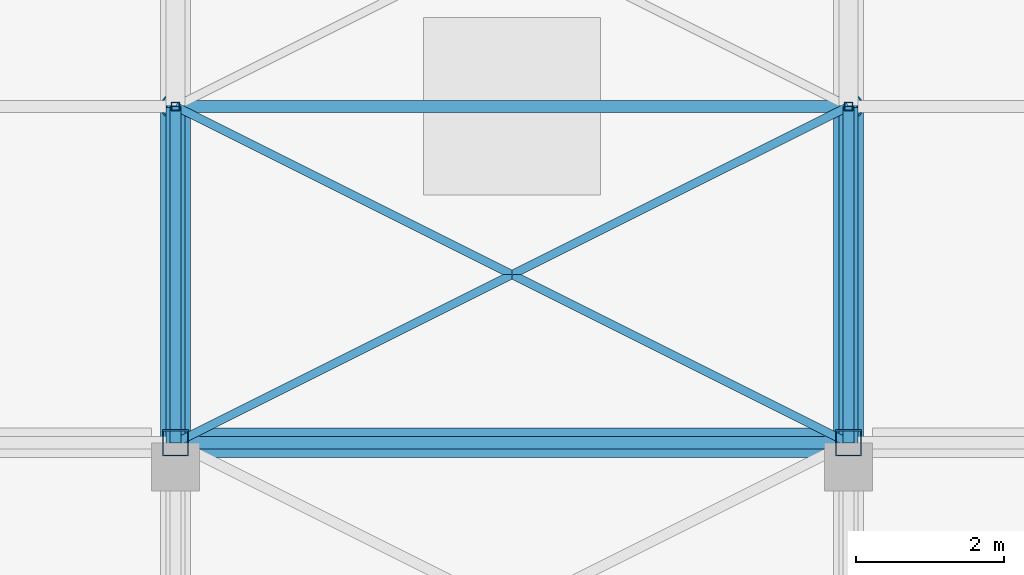
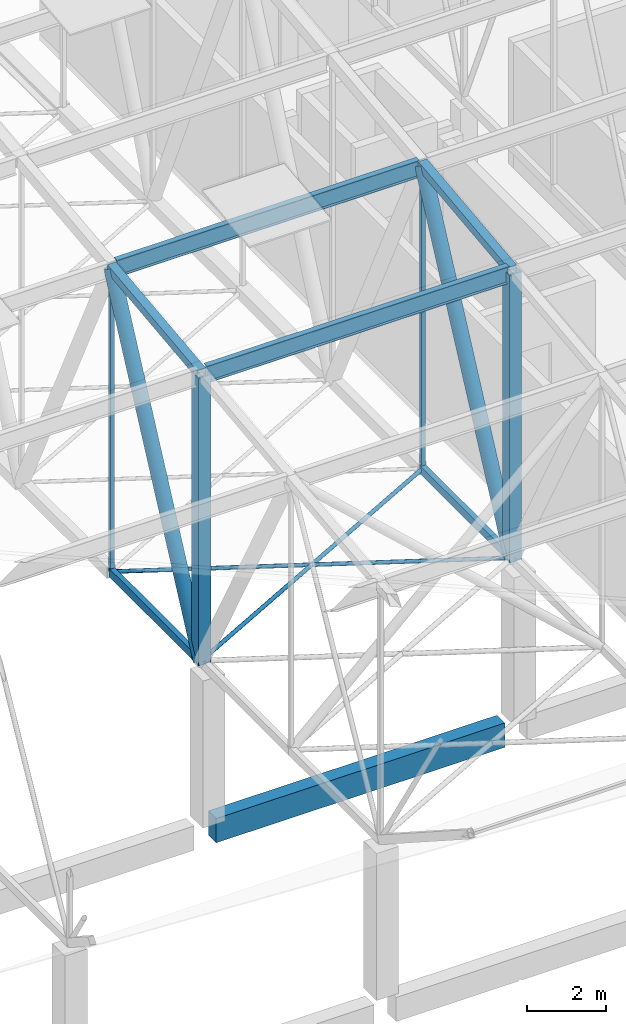
# One storey, part 119 of 500: 14 members, 1 beam.
"""IFC4 building model written with IfcOpenShell, lengths in metres."""

from ifc_helpers import new_model, si_unit, direction, frame, origin, origin_2d, place, context, subcontext, project, spatial, rectangle, hollow_rectangle, hollow_circle, i_section, extrude, material, material_profile, profile_set, type_object, element, save


model = new_model("IFC4")

# Units and contexts
model_context = context("Model", 3, precision=1e-05, world=origin(), true_north=direction((0.0, 1.0)))
body_context = subcontext(model_context, "Body", "Model", "MODEL_VIEW")
ifc_project = project(units=[si_unit("LENGTHUNIT", "METRE"), si_unit("AREAUNIT", "SQUARE_METRE"), si_unit("VOLUMEUNIT", "CUBIC_METRE"), si_unit("PLANEANGLEUNIT", "RADIAN"), si_unit("MASSUNIT", "GRAM", prefix="KILO")], contexts=[model_context])

# Site, building, storey
site_placement = place(None, origin())
site = spatial("IfcSite", under=ifc_project, at=site_placement, CompositionType="ELEMENT")
building_placement = place(site_placement, origin())
building = spatial("IfcBuilding", under=site, at=building_placement, Name="Shirokan Park Arena", CompositionType="ELEMENT")
storey_placement = place(building_placement, frame((0.0, 0.0, 29.1201171875)))
storey = spatial("IfcBuildingStorey", under=building, at=storey_placement, Name="L06", CompositionType="ELEMENT", Elevation=29.1201171875)

# Members
ifc_material_1 = material(Name="Steel ASTM A500 Grade C", Category="steel")
ifc_material_profile_1 = material_profile(ifc_material_1, hollow_rectangle(XDim=0.152099609375, YDim=0.25390625, WallThickness=0.015869140625, at=origin_2d()), Name="HSS254X152.4X15.9")
ifc_profile_set_1 = profile_set([ifc_material_profile_1], Name="Steel ASTM A500 Grade C")
member_type_1 = type_object("IfcMemberType", Name="Bottom chord HSS254X152.4X15.9", PredefinedType="CHORD", material=ifc_profile_set_1)
for number, where, z_axis, x_axis, name in (
    (1, (91.0, 9.10009765625, 4.677001953125), (0.0, 1.0, 0.0), (-1.0, 0.0, 0.0), "Truss T11 bottom chord 5"),
    (2, (100.10009765625, 9.10009765625, 4.677001953125), (0.0, 1.0, 0.0), (-1.0, 0.0, 0.0), "Truss T12 bottom chord 5"),
):
    element("IfcMember", number, at=place(storey_placement, frame(where, z_axis=z_axis, x_axis=x_axis)), inside=storey, type_object=member_type_1, Name=name, PredefinedType="CHORD", context=body_context, shape_type="SweptSolid", body=[
        extrude(hollow_rectangle(XDim=0.152099609375, YDim=0.25390625, WallThickness=0.015869140625, at=origin_2d()), origin(), (0.0, 0.0, 1.0), 4.5498046875),
    ])
ifc_material_profile_2 = material_profile(ifc_material_1, hollow_circle(Radius=0.056884765625, WallThickness=0.006103515625, at=origin_2d()), Name="HSS114.3X6")
ifc_profile_set_2 = profile_set([ifc_material_profile_2], Name="Steel ASTM A500 Grade C")
member_type_2 = type_object("IfcMemberType", Name="Plan bracing HSS114.3X6", PredefinedType="BRACE", material=ifc_profile_set_2)
for number, where, z_axis, x_axis, name in (
    (3, (91.0, 9.10009765625, 4.677001953125), (0.8944367893, 0.447194398385, 0.0), (-0.447194398385, 0.8944367893, 0.0), "Plan bracing bay 11 panel 5 A"),
    (4, (100.10009765625, 9.10009765625, 4.677001953125), (-0.8944367893, 0.447194398385, 0.0), (-0.447194398385, -0.8944367893, 0.0), "Plan bracing bay 11 panel 5 B"),
):
    element("IfcMember", number, at=place(storey_placement, frame(where, z_axis=z_axis, x_axis=x_axis)), inside=storey, type_object=member_type_2, Name=name, PredefinedType="BRACE", context=body_context, shape_type="SweptSolid", body=[
        extrude(hollow_circle(Radius=0.056884765625, WallThickness=0.006103515625, at=origin_2d()), origin(), (0.0, 0.0, 1.0), 10.174072265625),
    ])
ifc_material_2 = material(Name="Steel ASTM A992", Category="steel")
ifc_material_profile_3 = material_profile(ifc_material_2, i_section(OverallWidth=0.166015625, OverallDepth=0.528076171875, WebThickness=0.009765625, FlangeThickness=0.013671875, at=origin_2d()), Name="W530X74")
ifc_profile_set_3 = profile_set([ifc_material_profile_3], Name="Steel ASTM A992")
member_type_3 = type_object("IfcMemberType", Name="Purlin W530X74", PredefinedType="PURLIN", material=ifc_profile_set_3)
for number, where, z_axis, x_axis, name in (
    (5, (91.126953125, 9.10009765625, 13.52587890625), (1.0, 0.0, 0.0), (0.0, 1.0, 0.0), "Purlin 5 bay 11"),
    (6, (91.126953125, 13.64990234375, 14.0458984375), (1.0, 0.0, 0.0), (0.0, 1.0, 0.0), "Purlin 6 bay 11"),
):
    element("IfcMember", number, at=place(storey_placement, frame(where, z_axis=z_axis, x_axis=x_axis)), inside=storey, type_object=member_type_3, Name=name, PredefinedType="PURLIN", context=body_context, shape_type="SweptSolid", body=[
        extrude(i_section(OverallWidth=0.166015625, OverallDepth=0.528076171875, WebThickness=0.009765625, FlangeThickness=0.013671875, at=origin_2d()), origin(), (0.0, 0.0, 1.0), 8.845947265625),
    ])

# Beam
ifc_material_3 = material(Name="Concrete C35", Category="concrete")
ifc_material_profile_4 = material_profile(ifc_material_3, rectangle(XDim=0.39990234375, YDim=0.75, at=origin_2d()), Name="400x750")
ifc_profile_set_4 = profile_set([ifc_material_profile_4], Name="Concrete C35")
beam_type = type_object("IfcBeamType", Name="RC girder 400x750", PredefinedType="BEAM", material=ifc_profile_set_4)
beam_placement = place(storey_placement, frame((91.3251953125, 9.10009765625, -0.5751953125), z_axis=(1.0, 0.0, 0.0), x_axis=(0.0, 1.0, 0.0)))
element("IfcBeam", 7, at=beam_placement, inside=storey, type_object=beam_type, Name="Girder 11B-12B L06", PredefinedType="BEAM", context=body_context, shape_type="SweptSolid", body=[
    extrude(rectangle(XDim=0.39990234375, YDim=0.75, at=origin_2d()), origin(), (0.0, 0.0, 1.0), 8.44970703125),
])

# Members
ifc_material_profile_5 = material_profile(ifc_material_1, hollow_rectangle(XDim=0.25390625, YDim=0.25390625, WallThickness=0.009521484375, at=origin_2d()), Name="HSS254X254X9.5")
ifc_profile_set_5 = profile_set([ifc_material_profile_5], Name="Steel ASTM A500 Grade C")
member_type_4 = type_object("IfcMemberType", Name="Top chord HSS254X254X9.5", PredefinedType="CHORD", material=ifc_profile_set_5)
for number, where, z_axis, x_axis, name in (
    (8, (91.0, 9.10009765625, 13.581298828125), (0.0, 0.993531641592, 0.11355561261), (-1.0, 0.0, 0.0), "Truss T11 top chord 5"),
    (9, (100.10009765625, 9.10009765625, 13.581298828125), (0.0, 0.993531641592, 0.11355561261), (-1.0, 0.0, 0.0), "Truss T12 top chord 5"),
):
    element("IfcMember", number, at=place(storey_placement, frame(where, z_axis=z_axis, x_axis=x_axis)), inside=storey, type_object=member_type_4, Name=name, PredefinedType="CHORD", context=body_context, shape_type="SweptSolid", body=[
        extrude(hollow_rectangle(XDim=0.25390625, YDim=0.25390625, WallThickness=0.009521484375, at=origin_2d()), origin(), (0.0, 0.0, 1.0), 4.579345703125),
    ])
ifc_material_profile_6 = material_profile(ifc_material_1, hollow_circle(Radius=0.202880859375, WallThickness=0.015869140625, at=origin_2d()), Name="HSS406.4X15.9")
ifc_profile_set_6 = profile_set([ifc_material_profile_6], Name="Steel ASTM A500 Grade C")
member_type_5 = type_object("IfcMemberType", Name="Truss diagonal HSS406.4X15.9", PredefinedType="BRACE", material=ifc_profile_set_6)
for number, where, z_axis, x_axis, name in (
    (10, (91.0, 9.10009765625, 4.677001953125), (0.0, 0.434759504242, 0.900546597057), (-1.0, 0.0, 0.0), "Truss T11 diagonal 5"),
    (11, (100.10009765625, 9.10009765625, 4.677001953125), (0.0, 0.434759504242, 0.900546597057), (-1.0, 0.0, 0.0), "Truss T12 diagonal 5"),
):
    element("IfcMember", number, at=place(storey_placement, frame(where, z_axis=z_axis, x_axis=x_axis)), inside=storey, type_object=member_type_5, Name=name, PredefinedType="BRACE", context=body_context, shape_type="SweptSolid", body=[
        extrude(hollow_circle(Radius=0.202880859375, WallThickness=0.015869140625, at=origin_2d()), origin(), (0.0, 0.0, 1.0), 10.465087890625),
    ])
ifc_material_profile_7 = material_profile(ifc_material_1, hollow_rectangle(XDim=0.114013671875, YDim=0.114013671875, WallThickness=0.00634765625, at=origin_2d()), Name="HSS114.3X114.3X6.4")
ifc_profile_set_7 = profile_set([ifc_material_profile_7], Name="Steel ASTM A500 Grade C")
member_type_6 = type_object("IfcMemberType", Name="Truss post HSS114.3X114.3X6.4", PredefinedType="POST", material=ifc_profile_set_7)
for number, where, z_axis, x_axis, name in (
    (12, (91.0, 13.64990234375, 4.677001953125), (0.0, 0.0, 1.0), (1.0, 0.0, 0.0), "Truss T11 post 6"),
    (13, (100.10009765625, 13.64990234375, 4.677001953125), (0.0, 0.0, 1.0), (1.0, 0.0, 0.0), "Truss T12 post 6"),
):
    element("IfcMember", number, at=place(storey_placement, frame(where, z_axis=z_axis, x_axis=x_axis)), inside=storey, type_object=member_type_6, Name=name, PredefinedType="POST", context=body_context, shape_type="SweptSolid", body=[
        extrude(hollow_rectangle(XDim=0.114013671875, YDim=0.114013671875, WallThickness=0.00634765625, at=origin_2d()), origin(), (0.0, 0.0, 1.0), 9.42431640625),
    ])
ifc_material_profile_8 = material_profile(ifc_material_1, hollow_rectangle(XDim=0.35595703125, YDim=0.35595703125, WallThickness=0.015869140625, at=origin_2d()), Name="HSS355.6X355.6X15.9")
ifc_profile_set_8 = profile_set([ifc_material_profile_8], Name="Steel ASTM A500 Grade C")
member_type_7 = type_object("IfcMemberType", Name="Truss post HSS355.6X355.6X15.9", PredefinedType="POST", material=ifc_profile_set_8)
for number, where, z_axis, x_axis, name in (
    (14, (91.0, 9.10009765625, 4.677001953125), (0.0, 0.0, 1.0), (1.0, 0.0, 0.0), "Truss T11 post 5"),
    (15, (100.10009765625, 9.10009765625, 4.677001953125), (0.0, 0.0, 1.0), (1.0, 0.0, 0.0), "Truss T12 post 5"),
):
    element("IfcMember", number, at=place(storey_placement, frame(where, z_axis=z_axis, x_axis=x_axis)), inside=storey, type_object=member_type_7, Name=name, PredefinedType="POST", context=body_context, shape_type="SweptSolid", body=[
        extrude(hollow_rectangle(XDim=0.35595703125, YDim=0.35595703125, WallThickness=0.015869140625, at=origin_2d()), origin(), (0.0, 0.0, 1.0), 8.904296875),
    ])

save(model, "model.ifc")
